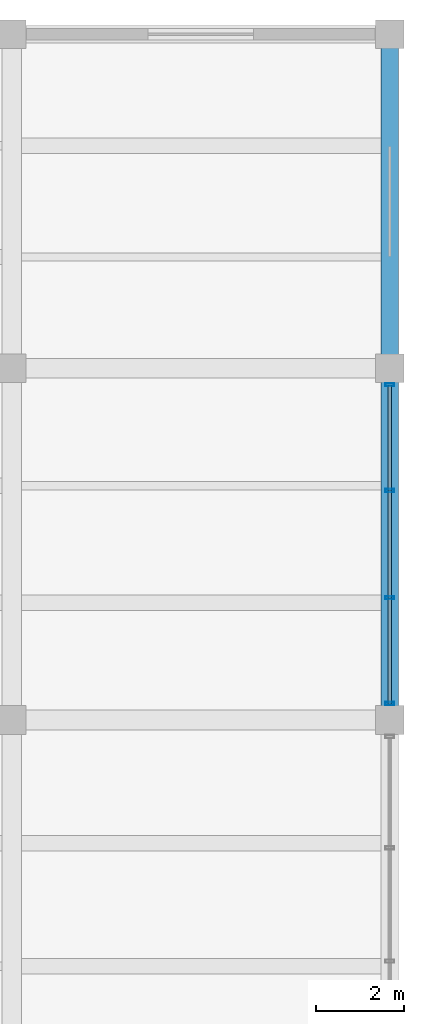
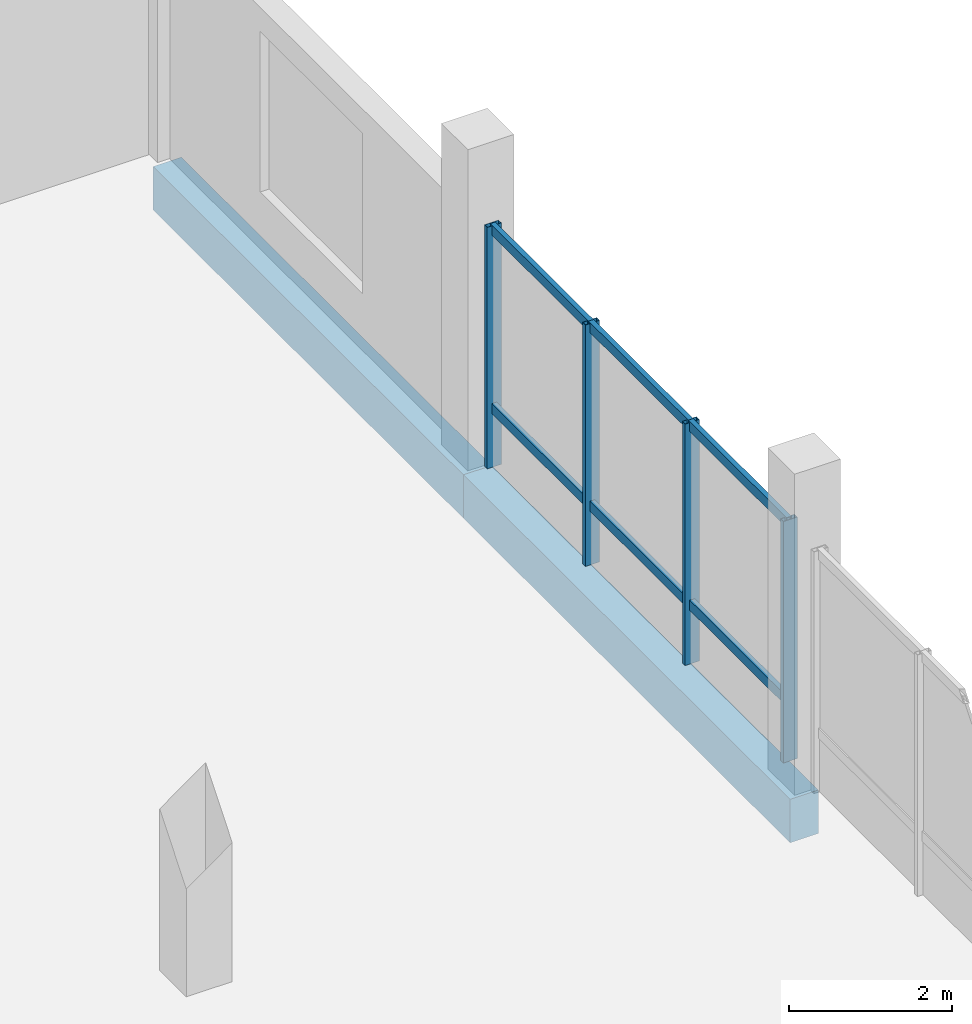
# One storey, part 52 of 71: 10 members, 2 beams, 1 element without a shape of its own.
"""IFC4 building model written with IfcOpenShell, lengths in metres."""

from ifc_helpers import new_model, si_unit, direction, frame, origin, origin_2d, place, context, subcontext, project, spatial, rectangle, hollow_rectangle, extrude, material, layer, layer_set, material_profile, profile_set, type_object, element, aggregate, save


model = new_model("IFC4")

# Units and contexts
model_context = context("Model", 3, precision=1e-05, world=origin(), true_north=direction((0.0, 1.0)))
body_context = subcontext(model_context, "Body", "Model", "MODEL_VIEW")
ifc_project = project(units=[si_unit("LENGTHUNIT", "METRE"), si_unit("AREAUNIT", "SQUARE_METRE"), si_unit("VOLUMEUNIT", "CUBIC_METRE"), si_unit("PLANEANGLEUNIT", "RADIAN"), si_unit("MASSUNIT", "GRAM", prefix="KILO")], contexts=[model_context])

# Site, building, storey
site_placement = place(None, origin())
site = spatial("IfcSite", under=ifc_project, at=site_placement, CompositionType="ELEMENT")
building_placement = place(site_placement, origin())
building = spatial("IfcBuilding", under=site, at=building_placement, Name="Meriwether Solvik Hall", CompositionType="ELEMENT")
storey_placement = place(building_placement, frame((0.0, 0.0, 5.10009765625)))
storey = spatial("IfcBuildingStorey", under=building, at=storey_placement, Name="L01", CompositionType="ELEMENT", Elevation=5.10009765625)

# Beams
ifc_material_1 = material(Name="Concrete C40/50", Category="concrete")
ifc_material_profile_1 = material_profile(ifc_material_1, rectangle(XDim=0.39990234375, YDim=0.64990234375, at=origin_2d()), Name="RCB-400X650")
ifc_profile_set_1 = profile_set([ifc_material_profile_1], Name="Concrete C40/50")
beam_type = type_object("IfcBeamType", Name="BM-RC-400X650", PredefinedType="SPANDREL", material=ifc_profile_set_1)
beam_1_placement = place(storey_placement, frame((166.800048828125, 101.199951171875, -0.625), z_axis=(0.0, 1.0, 0.0), x_axis=(-1.0, 0.0, 0.0)))
element("IfcBeam", 1, at=beam_1_placement, inside=storey, type_object=beam_type, Name="Podium Girder 19:L-M (L01)", PredefinedType="SPANDREL", context=body_context, shape_type="SweptSolid", body=[
    extrude(rectangle(XDim=0.39990234375, YDim=0.64990234375, at=origin_2d()), origin(), (0.0, 0.0, 1.0), 8.0),
])
beam_2_placement = place(storey_placement, frame((166.800048828125, 109.199951171875, -0.625), z_axis=(0.0, 1.0, 0.0), x_axis=(-1.0, 0.0, 0.0)))
element("IfcBeam", 2, at=beam_2_placement, inside=storey, type_object=beam_type, Name="Podium Girder 19:M-N (L01)", PredefinedType="SPANDREL", context=body_context, shape_type="SweptSolid", body=[
    extrude(rectangle(XDim=0.39990234375, YDim=0.64990234375, at=origin_2d()), origin(), (0.0, 0.0, 1.0), 7.60009765625),
])

# Curtain wall, members
ifc_material_2 = material(Name="Thermally Broken Anodised Aluminium 6063-T6 and Low-E Glass", Category="aluminium")
ifc_layer = layer(ifc_material_2, 0.179931640625)
ifc_layer_set = layer_set([ifc_layer], Name="Thermally Broken Anodised Aluminium 6063-T6 and Low-E Glass")
curtain_wall_type = type_object("IfcCurtainWallType", Name="CW-SF-POD-B", PredefinedType="USERDEFINED", material=ifc_layer_set)
curtain_wall_placement = place(storey_placement, origin())
curtain_wall = element("IfcCurtainWall", 3, at=curtain_wall_placement, inside=storey, type_object=curtain_wall_type, Name="Curtain Wall wing_Y19_12_60 (L01)", ObjectType="STICK STOREFRONT GLAZING", PredefinedType="USERDEFINED")
ifc_material_3 = material(Name="Anodised Aluminium 6063-T6", Category="aluminium")
ifc_material_profile_2 = material_profile(ifc_material_3, hollow_rectangle(XDim=0.070068359375, YDim=0.199951171875, WallThickness=0.0048828125, at=origin_2d()), Name="CWM-70X200")
ifc_profile_set_2 = profile_set([ifc_material_profile_2], Name="Anodised Aluminium 6063-T6")
member_type_1 = type_object("IfcMemberType", Name="CW-MUL-70X200", PredefinedType="MULLION", material=ifc_profile_set_2)
member_1_placement = place(storey_placement, frame((166.800048828125, 108.824951171875, 0.0), z_axis=(0.0, 0.0, 1.0), x_axis=(0.0, -1.0, 0.0)))
member_1 = element("IfcMember", 4, at=member_1_placement, type_object=member_type_1, Name="Curtain Wall Mullion 1", PredefinedType="MULLION", context=body_context, shape_type="SweptSolid", body=[
    extrude(hollow_rectangle(XDim=0.070068359375, YDim=0.199951171875, WallThickness=0.0048828125, at=origin_2d()), origin(), (0.0, 0.0, 1.0), 3.60986328125),
])
member_2_placement = place(storey_placement, frame((166.800048828125, 106.4208984375, 0.0), z_axis=(0.0, 0.0, 1.0), x_axis=(0.0, -1.0, 0.0)))
member_2 = element("IfcMember", 5, at=member_2_placement, type_object=member_type_1, Name="Curtain Wall Mullion 2", PredefinedType="MULLION", context=body_context, shape_type="SweptSolid", body=[
    extrude(hollow_rectangle(XDim=0.070068359375, YDim=0.199951171875, WallThickness=0.0048828125, at=origin_2d()), origin(), (0.0, 0.0, 1.0), 3.60986328125),
])
member_3_placement = place(storey_placement, frame((166.800048828125, 103.97900390625, 0.0), z_axis=(0.0, 0.0, 1.0), x_axis=(0.0, -1.0, 0.0)))
member_3 = element("IfcMember", 6, at=member_3_placement, type_object=member_type_1, Name="Curtain Wall Mullion 3", PredefinedType="MULLION", context=body_context, shape_type="SweptSolid", body=[
    extrude(hollow_rectangle(XDim=0.070068359375, YDim=0.199951171875, WallThickness=0.0048828125, at=origin_2d()), origin(), (0.0, 0.0, 1.0), 3.60986328125),
])
member_4_placement = place(storey_placement, frame((166.800048828125, 101.574951171875, 0.0), z_axis=(0.0, 0.0, 1.0), x_axis=(0.0, -1.0, 0.0)))
member_4 = element("IfcMember", 7, at=member_4_placement, type_object=member_type_1, Name="Curtain Wall Mullion 4", PredefinedType="MULLION", context=body_context, shape_type="SweptSolid", body=[
    extrude(hollow_rectangle(XDim=0.070068359375, YDim=0.199951171875, WallThickness=0.0048828125, at=origin_2d()), origin(), (0.0, 0.0, 1.0), 3.60986328125),
])
ifc_material_4 = material(Name="Anodised Aluminium 6063-T6", Category="aluminium")
ifc_material_profile_3 = material_profile(ifc_material_4, hollow_rectangle(XDim=0.070068359375, YDim=0.14990234375, WallThickness=0.0048828125, at=origin_2d()), Name="CWT-70X150")
ifc_profile_set_3 = profile_set([ifc_material_profile_3], Name="Anodised Aluminium 6063-T6")
member_type_2 = type_object("IfcMemberType", Name="CW-TRN-70X150", PredefinedType="USERDEFINED", material=ifc_profile_set_3)
member_5_placement = place(storey_placement, frame((166.800048828125, 108.824951171875, 0.8798828125), z_axis=(0.0, -1.0, 0.0), x_axis=(1.0, 0.0, 0.0)))
member_5 = element("IfcMember", 8, at=member_5_placement, type_object=member_type_2, Name="Curtain Wall Transom 1-sill", ObjectType="TRANSOM", PredefinedType="USERDEFINED", context=body_context, shape_type="SweptSolid", body=[
    extrude(hollow_rectangle(XDim=0.070068359375, YDim=0.14990234375, WallThickness=0.0048828125, at=origin_2d()), origin(), (0.0, 0.0, 1.0), 2.404052734375),
])
member_6_placement = place(storey_placement, frame((166.800048828125, 108.824951171875, 3.5498046875), z_axis=(0.0, -1.0, 0.0), x_axis=(1.0, 0.0, 0.0)))
member_6 = element("IfcMember", 9, at=member_6_placement, type_object=member_type_2, Name="Curtain Wall Transom 1-head", ObjectType="TRANSOM", PredefinedType="USERDEFINED", context=body_context, shape_type="SweptSolid", body=[
    extrude(hollow_rectangle(XDim=0.070068359375, YDim=0.14990234375, WallThickness=0.0048828125, at=origin_2d()), origin(), (0.0, 0.0, 1.0), 2.404052734375),
])
member_7_placement = place(storey_placement, frame((166.800048828125, 106.4208984375, 0.8798828125), z_axis=(0.0, -1.0, 0.0), x_axis=(1.0, 0.0, 0.0)))
member_7 = element("IfcMember", 10, at=member_7_placement, type_object=member_type_2, Name="Curtain Wall Transom 2-sill", ObjectType="TRANSOM", PredefinedType="USERDEFINED", context=body_context, shape_type="SweptSolid", body=[
    extrude(hollow_rectangle(XDim=0.070068359375, YDim=0.14990234375, WallThickness=0.0048828125, at=origin_2d()), origin(), (0.0, 0.0, 1.0), 2.44189453125),
])
member_8_placement = place(storey_placement, frame((166.800048828125, 106.4208984375, 3.5498046875), z_axis=(0.0, -1.0, 0.0), x_axis=(1.0, 0.0, 0.0)))
member_8 = element("IfcMember", 11, at=member_8_placement, type_object=member_type_2, Name="Curtain Wall Transom 2-head", ObjectType="TRANSOM", PredefinedType="USERDEFINED", context=body_context, shape_type="SweptSolid", body=[
    extrude(hollow_rectangle(XDim=0.070068359375, YDim=0.14990234375, WallThickness=0.0048828125, at=origin_2d()), origin(), (0.0, 0.0, 1.0), 2.44189453125),
])
member_9_placement = place(storey_placement, frame((166.800048828125, 103.97900390625, 0.8798828125), z_axis=(0.0, -1.0, 0.0), x_axis=(1.0, 0.0, 0.0)))
member_9 = element("IfcMember", 12, at=member_9_placement, type_object=member_type_2, Name="Curtain Wall Transom 3-sill", ObjectType="TRANSOM", PredefinedType="USERDEFINED", context=body_context, shape_type="SweptSolid", body=[
    extrude(hollow_rectangle(XDim=0.070068359375, YDim=0.14990234375, WallThickness=0.0048828125, at=origin_2d()), origin(), (0.0, 0.0, 1.0), 2.404052734375),
])
member_10_placement = place(storey_placement, frame((166.800048828125, 103.97900390625, 3.5498046875), z_axis=(0.0, -1.0, 0.0), x_axis=(1.0, 0.0, 0.0)))
member_10 = element("IfcMember", 13, at=member_10_placement, type_object=member_type_2, Name="Curtain Wall Transom 3-head", ObjectType="TRANSOM", PredefinedType="USERDEFINED", context=body_context, shape_type="SweptSolid", body=[
    extrude(hollow_rectangle(XDim=0.070068359375, YDim=0.14990234375, WallThickness=0.0048828125, at=origin_2d()), origin(), (0.0, 0.0, 1.0), 2.404052734375),
])
aggregate(curtain_wall, [member_1, member_2, member_3, member_4, member_5, member_6, member_7, member_8, member_9, member_10])

save(model, "model.ifc")
